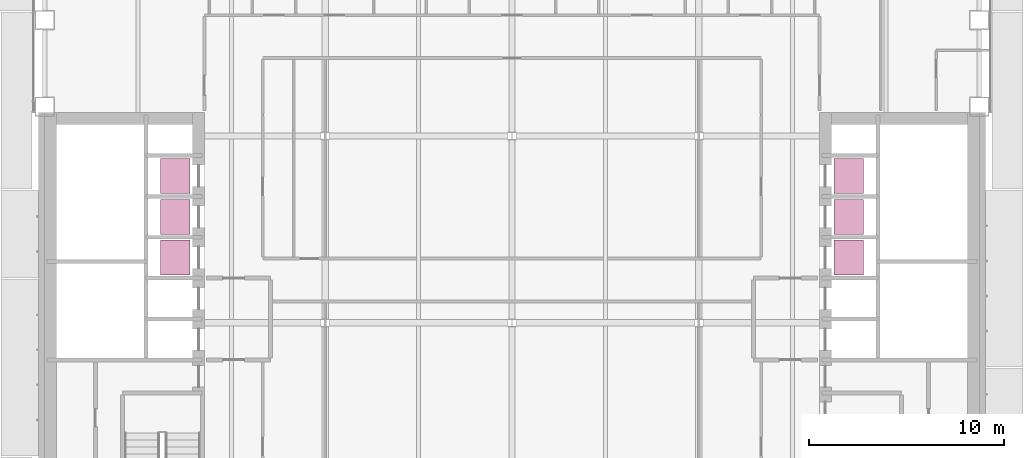
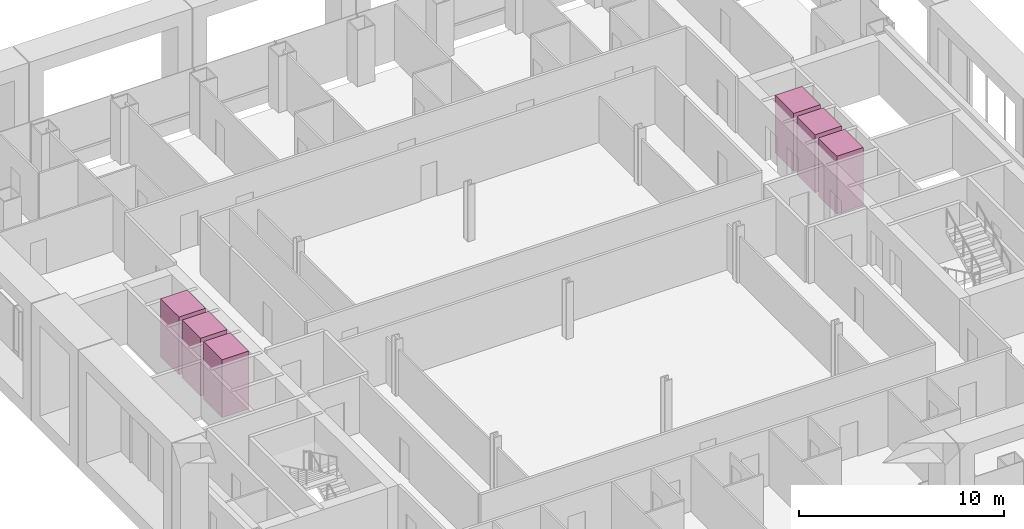
# One storey, part 25 of 25: 6 transport elements.
"""IFC4 building model written with IfcOpenShell, lengths in metres."""

from ifc_helpers import new_model, si_unit, direction, frame, origin, origin_2d, place, context, subcontext, project, spatial, rectangle, extrude, material, type_object, element, save


model = new_model("IFC4")

# Units and contexts
model_context = context("Model", 3, precision=1e-05, world=origin(), true_north=direction((0.0, 1.0)))
body_context = subcontext(model_context, "Body", "Model", "MODEL_VIEW")
ifc_project = project(units=[si_unit("LENGTHUNIT", "METRE"), si_unit("AREAUNIT", "SQUARE_METRE"), si_unit("VOLUMEUNIT", "CUBIC_METRE"), si_unit("PLANEANGLEUNIT", "RADIAN"), si_unit("MASSUNIT", "GRAM", prefix="KILO")], contexts=[model_context])

# Site, building, storey
site_placement = place(None, origin())
site = spatial("IfcSite", under=ifc_project, at=site_placement, CompositionType="ELEMENT")
building_placement = place(site_placement, origin())
building = spatial("IfcBuilding", under=site, at=building_placement, Name="Cobrizo Arcos Hotel Tower", CompositionType="ELEMENT")
storey_placement = place(building_placement, frame((0.0, 0.0, 46.0)))
storey = spatial("IfcBuildingStorey", under=building, at=storey_placement, Name="L09", CompositionType="ELEMENT", Elevation=46.0)

# Transport elements
ifc_material = material(Name="Stainless steel car", Category="steel")
transport_element_type = type_object("IfcTransportElementType", Name="Lift car Low 1.8x1.5", PredefinedType="ELEVATOR", material=ifc_material)
for number, where, z_axis, x_axis, name in (
    (1, (-17.300048828125, 3.35009765625, 0.0), (0.0, 0.0, 1.0), (1.0, 0.0, 0.0), "Low-rise passenger lift W1"),
    (2, (-17.300048828125, 5.449951171875, 0.0), (0.0, 0.0, 1.0), (1.0, 0.0, 0.0), "Low-rise passenger lift W2"),
    (3, (-17.300048828125, 7.550048828125, 0.0), (0.0, 0.0, 1.0), (1.0, 0.0, 0.0), "Low-rise passenger lift W3"),
    (4, (17.300048828125, 3.35009765625, 0.0), (0.0, 0.0, 1.0), (1.0, 0.0, 0.0), "Low-rise passenger lift E1"),
    (5, (17.300048828125, 5.449951171875, 0.0), (0.0, 0.0, 1.0), (1.0, 0.0, 0.0), "Low-rise passenger lift E2"),
    (6, (17.300048828125, 7.550048828125, 0.0), (0.0, 0.0, 1.0), (1.0, 0.0, 0.0), "Low-rise passenger lift E3"),
):
    element("IfcTransportElement", number, at=place(storey_placement, frame(where, z_axis=z_axis, x_axis=x_axis)), inside=storey, type_object=transport_element_type, Name=name, PredefinedType="ELEVATOR", context=body_context, shape_type="SweptSolid", body=[
        extrude(rectangle(XDim=1.5, YDim=1.800048828125, at=origin_2d()), origin(), (0.0, 0.0, 1.0), 3.449951171875),
    ])

save(model, "model.ifc")
